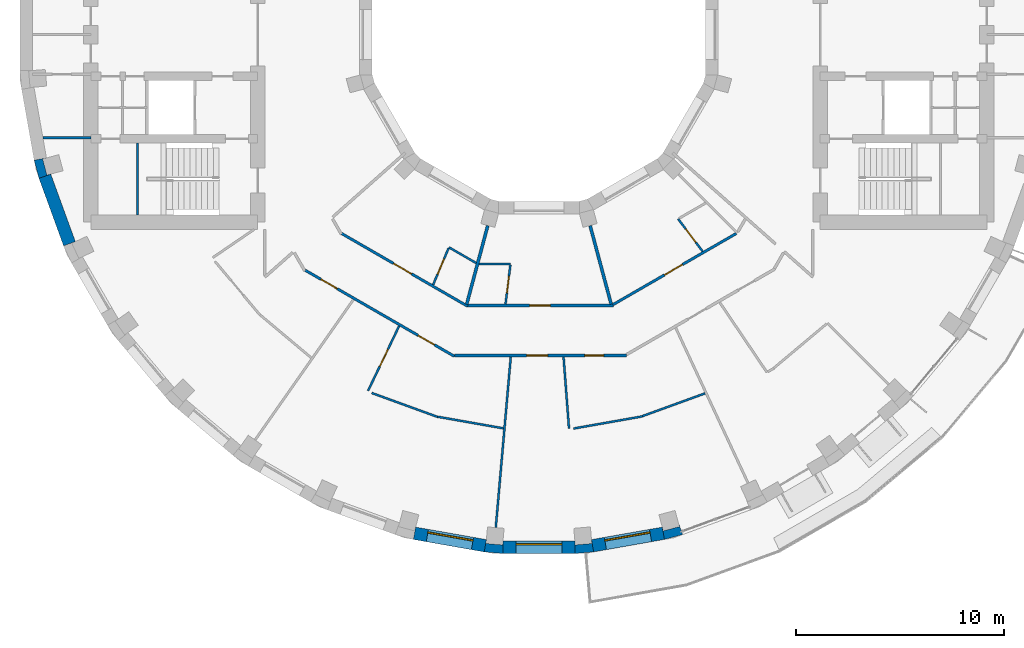
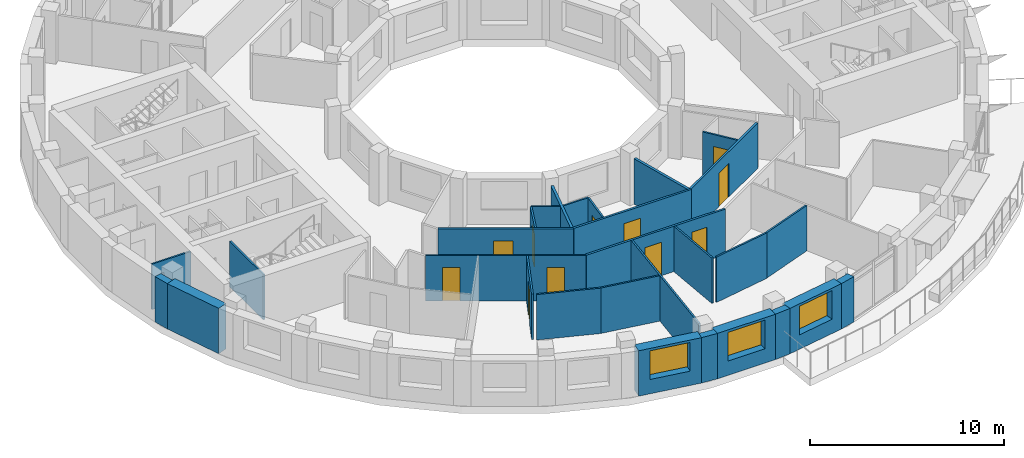
# One storey, part 6 of 15: 29 walls, 11 doors, 3 windows, 14 openings.
"""IFC4 building model written with IfcOpenShell, lengths in metres."""

from ifc_helpers import new_model, si_unit, direction, frame, frame_2d, origin, place, context, subcontext, project, spatial, polyline, rectangle, outline, extrude, material, layer, layer_set, type_object, element, fill, save


model = new_model("IFC4")

# Units and contexts
model_context = context("Model", 3, precision=1e-05, world=origin(), true_north=direction((0.0, 1.0)))
body_context = subcontext(model_context, "Body", "Model", "MODEL_VIEW")
ifc_project = project(units=[si_unit("LENGTHUNIT", "METRE"), si_unit("AREAUNIT", "SQUARE_METRE"), si_unit("VOLUMEUNIT", "CUBIC_METRE"), si_unit("PLANEANGLEUNIT", "RADIAN"), si_unit("MASSUNIT", "GRAM", prefix="KILO")], contexts=[model_context])

# Site, building, storey
site_placement = place(None, origin())
site = spatial("IfcSite", under=ifc_project, at=site_placement, CompositionType="ELEMENT")
building_placement = place(site_placement, origin())
building = spatial("IfcBuilding", under=site, at=building_placement, Name="Saqina Gate Tower", CompositionType="ELEMENT")
storey_placement = place(building_placement, frame((0.0, 0.0, 167.39990234375)))
storey = spatial("IfcBuildingStorey", under=building, at=storey_placement, Name="L47", CompositionType="ELEMENT", Elevation=167.39990234375)

# Walls
ifc_material_1 = material(Name="Brick masonry (buff)", Category="masonry")
wall_type_1 = type_object("IfcWallType", Name="BRICK PIER COPING BUFF", PredefinedType="SOLIDWALL", material=ifc_material_1)
wall_1_placement = place(storey_placement, origin())
element("IfcWall", 1, at=wall_1_placement, inside=storey, type_object=wall_type_1, Name="Pier cap L47 column 20", PredefinedType="SOLIDWALL", context=body_context, shape_type="SweptSolid", body=[
    extrude(outline(polyline([(-24.22705078125, -6.0234375), (-23.992919921875, -6.897216796875), (-23.428955078125, -6.69189453125), (-23.610107421875, -6.740478515625), (-23.81689453125, -5.967529296875), (-23.635986328125, -5.919189453125), (-24.22705078125, -6.0234375)])), origin(), (0.0, 0.0, 1.0), 2.85009765625),
])
wall_2_placement = place(storey_placement, origin())
element("IfcWall", 2, at=wall_2_placement, inside=storey, type_object=wall_type_1, Name="Pier cap L47 column 27", PredefinedType="SOLIDWALL", context=body_context, shape_type="SweptSolid", body=[
    extrude(outline(polyline([(-2.6259765625, -24.825927734375), (-1.724853515625, -24.90478515625), (-1.724853515625, -24.304931640625), (-1.7412109375, -24.491455078125), (-2.5380859375, -24.421630859375), (-2.521728515625, -24.235107421875), (-2.6259765625, -24.825927734375)])), origin(), (0.0, 0.0, 1.0), 2.85009765625),
])
wall_3_placement = place(storey_placement, origin())
element("IfcWall", 3, at=wall_3_placement, inside=storey, type_object=wall_type_1, Name="Pier cap L47 column 28", PredefinedType="SOLIDWALL", context=body_context, shape_type="SweptSolid", body=[
    extrude(outline(polyline([(1.724853515625, -24.90478515625), (2.6259765625, -24.825927734375), (2.521728515625, -24.235107421875), (2.5380859375, -24.421630859375), (1.7412109375, -24.491455078125), (1.724853515625, -24.304931640625), (1.724853515625, -24.90478515625)])), origin(), (0.0, 0.0, 1.0), 2.85009765625),
])
wall_4_placement = place(storey_placement, origin())
element("IfcWall", 4, at=wall_4_placement, inside=storey, type_object=wall_type_1, Name="Pier cap L47 column 29", PredefinedType="SOLIDWALL", context=body_context, shape_type="SweptSolid", body=[
    extrude(outline(polyline([(6.0234375, -24.22705078125), (6.897216796875, -23.992919921875), (6.69189453125, -23.428955078125), (6.740478515625, -23.610107421875), (5.967529296875, -23.81689453125), (5.919189453125, -23.635986328125), (6.0234375, -24.22705078125)])), origin(), (0.0, 0.0, 1.0), 2.85009765625),
])
ifc_material_2 = material(Name="Gypsum board on steel studs", Category="steel")
ifc_layer_1 = layer(ifc_material_2, 0.10009765625)
ifc_layer_set_1 = layer_set([ifc_layer_1], Name="CORE PARTITION")
wall_type_2 = type_object("IfcWallType", Name="CORE PARTITION", PredefinedType="PARTITIONING", material=ifc_layer_set_1)
wall_5_placement = place(storey_placement, frame((-21.5, -4.949951171875, 0.0), z_axis=(0.0, 0.0, 1.0), x_axis=(-1.0, 0.0, 0.0)))
element("IfcWall", 5, at=wall_5_placement, inside=storey, type_object=wall_type_2, Name="L47-CP-W03", PredefinedType="PARTITIONING", context=body_context, shape_type="SweptSolid", body=[
    extrude(rectangle(XDim=2.306884765625, YDim=0.10009765625, at=frame_2d((1.1533203125, 0.0))), origin(), (0.0, 0.0, 1.0), 2.85009765625),
])

# Wall, opening, window
ifc_material_3 = material(Name="Brick masonry (buff)", Category="masonry")
ifc_layer_2 = layer(ifc_material_3, 0.60009765625)
ifc_layer_set_2 = layer_set([ifc_layer_2], Name="FW-BRICK-BUFF")
wall_type_3 = type_object("IfcWallType", Name="FW-BRICK-BUFF", PredefinedType="SOLIDWALL", material=ifc_layer_set_2)
wall_6_placement = place(storey_placement, frame((-5.97119140625, -23.931640625, 0.0), z_axis=(0.0, 0.0, 1.0), x_axis=(0.984814892183, -0.173607684551, 0.0)))
wall_6 = element("IfcWall", 6, at=wall_6_placement, inside=storey, type_object=wall_type_3, Name="Facade wall L47 facet 26", PredefinedType="SOLIDWALL", context=body_context, shape_type="SweptSolid", body=[
    extrude(rectangle(XDim=3.44970703125, YDim=0.60009765625, at=frame_2d((1.724853515625, 0.0))), origin(), (0.0, 0.0, 1.0), 2.85009765625),
])
opening_1_placement = place(wall_6_placement, frame((0.625, 0.0, 0.89990234375)))
opening_1 = element("IfcOpeningElement", 7, at=opening_1_placement, cuts=wall_6, Name="Opening G13-W19", PredefinedType="OPENING", context=body_context, shape_type="SweptSolid", body=[
    extrude(rectangle(XDim=2.199951171875, YDim=1.800048828125, at=frame_2d((1.10009765625, 0.89990234375))), frame((0.0, 0.31201171875, 0.0), z_axis=(0.0, -1.0, 0.0), x_axis=(1.0, 0.0, 0.0)), (0.0, 0.0, 1.0), 0.6240234375),
])
ifc_material_4 = material(Name="Aluminium glazing", Category="aluminium")
window_type = type_object("IfcWindowType", Name="WN-C", PartitioningType="SINGLE_PANEL", PredefinedType="WINDOW", material=ifc_material_4)
window_1_placement = place(opening_1_placement, origin())
window_1 = element("IfcWindow", 8, at=window_1_placement, inside=storey, type_object=window_type, Name="Window L47 facet 26", OverallHeight=1.800048828125, OverallWidth=2.199951171875, PartitioningType="SINGLE_PANEL", PredefinedType="WINDOW", context=body_context, shape_type="SweptSolid", body=[
    extrude(rectangle(XDim=2.199951171875, YDim=1.800048828125, at=frame_2d((1.10009765625, 0.89990234375))), frame((0.0, 0.179931640625, 0.0), z_axis=(0.0, -1.0, 0.0), x_axis=(1.0, 0.0, 0.0)), (0.0, 0.0, 1.0), 0.06005859375),
])
fill(opening_1, window_1)

wall_7_placement = place(storey_placement, frame((-1.724853515625, -24.60498046875, 0.0), z_axis=(0.0, 0.0, 1.0), x_axis=(1.0, 0.0, 0.0)))
wall_7 = element("IfcWall", 9, at=wall_7_placement, inside=storey, type_object=wall_type_3, Name="Facade wall L47 facet 27", PredefinedType="SOLIDWALL", context=body_context, shape_type="SweptSolid", body=[
    extrude(rectangle(XDim=3.44970703125, YDim=0.60009765625, at=frame_2d((1.724853515625, 0.0))), origin(), (0.0, 0.0, 1.0), 2.85009765625),
])
opening_2_placement = place(wall_7_placement, frame((0.625, 0.0, 0.89990234375)))
opening_2 = element("IfcOpeningElement", 10, at=opening_2_placement, cuts=wall_7, Name="Opening G13-W20", PredefinedType="OPENING", context=body_context, shape_type="SweptSolid", body=[
    extrude(rectangle(XDim=2.199951171875, YDim=1.800048828125, at=frame_2d((1.10009765625, 0.89990234375))), frame((0.0, 0.31201171875, 0.0), z_axis=(0.0, -1.0, 0.0), x_axis=(1.0, 0.0, 0.0)), (0.0, 0.0, 1.0), 0.6240234375),
])
window_2_placement = place(opening_2_placement, origin())
window_2 = element("IfcWindow", 11, at=window_2_placement, inside=storey, type_object=window_type, Name="Window L47 facet 27", OverallHeight=1.800048828125, OverallWidth=2.199951171875, PartitioningType="SINGLE_PANEL", PredefinedType="WINDOW", context=body_context, shape_type="SweptSolid", body=[
    extrude(rectangle(XDim=2.199951171875, YDim=1.800048828125, at=frame_2d((1.10009765625, 0.89990234375))), frame((0.0, 0.179931640625, 0.0), z_axis=(0.0, -1.0, 0.0), x_axis=(1.0, 0.0, 0.0)), (0.0, 0.0, 1.0), 0.06005859375),
])
fill(opening_2, window_2)

wall_8_placement = place(storey_placement, frame((2.573974609375, -24.530517578125, 0.0), z_axis=(0.0, 0.0, 1.0), x_axis=(0.984814892183, 0.173607684551, 0.0)))
wall_8 = element("IfcWall", 12, at=wall_8_placement, inside=storey, type_object=wall_type_3, Name="Facade wall L47 facet 28", PredefinedType="SOLIDWALL", context=body_context, shape_type="SweptSolid", body=[
    extrude(rectangle(XDim=3.44970703125, YDim=0.60009765625, at=frame_2d((1.724853515625, 0.0))), origin(), (0.0, 0.0, 1.0), 2.85009765625),
])
opening_3_placement = place(wall_8_placement, frame((0.625, 0.0, 0.89990234375)))
opening_3 = element("IfcOpeningElement", 13, at=opening_3_placement, cuts=wall_8, Name="Opening G13-W21", PredefinedType="OPENING", context=body_context, shape_type="SweptSolid", body=[
    extrude(rectangle(XDim=2.199951171875, YDim=1.800048828125, at=frame_2d((1.10009765625, 0.89990234375))), frame((0.0, 0.31201171875, 0.0), z_axis=(0.0, -1.0, 0.0), x_axis=(1.0, 0.0, 0.0)), (0.0, 0.0, 1.0), 0.6240234375),
])
window_3_placement = place(opening_3_placement, origin())
window_3 = element("IfcWindow", 14, at=window_3_placement, inside=storey, type_object=window_type, Name="Window L47 facet 28", OverallHeight=1.800048828125, OverallWidth=2.199951171875, PartitioningType="SINGLE_PANEL", PredefinedType="WINDOW", context=body_context, shape_type="SweptSolid", body=[
    extrude(rectangle(XDim=2.199951171875, YDim=1.800048828125, at=frame_2d((1.10009765625, 0.89990234375))), frame((0.0, 0.179931640625, 0.0), z_axis=(0.0, -1.0, 0.0), x_axis=(1.0, 0.0, 0.0)), (0.0, 0.0, 1.0), 0.06005859375),
])
fill(opening_3, window_3)

# Walls
ifc_material_5 = material(Name="Glazed ceramic tile", Category="ceramic")
ifc_layer_3 = layer(ifc_material_5, 0.60009765625)
ifc_layer_set_3 = layer_set([ifc_layer_3], Name="FW-TILE")
wall_type_4 = type_object("IfcWallType", Name="FW-TILE", PredefinedType="SOLIDWALL", material=ifc_layer_set_3)
wall_9_placement = place(storey_placement, frame((-23.7109375, -6.79443359375, 0.0), z_axis=(0.0, 0.0, 1.0), x_axis=(0.342032843455, -0.93968799822, 0.0)))
element("IfcWall", 15, at=wall_9_placement, inside=storey, type_object=wall_type_4, Name="Facade wall L47 facet 20", PredefinedType="SOLIDWALL", context=body_context, shape_type="SweptSolid", body=[
    extrude(rectangle(XDim=3.44970703125, YDim=0.60009765625, at=frame_2d((1.724853515625, 0.0))), origin(), (0.0, 0.0, 1.0), 2.85009765625),
])
ifc_material_6 = material(Name="Gypsum board on steel studs, 100 mm", Category="steel")
ifc_layer_4 = layer(ifc_material_6, 0.10009765625)
ifc_layer_set_4 = layer_set([ifc_layer_4], Name="PARTITION 100")
wall_type_5 = type_object("IfcWallType", Name="PARTITION 100", PredefinedType="PARTITIONING", material=ifc_layer_set_4)
wall_10_placement = place(storey_placement, frame((1.1806640625, -15.46240234375, 0.0), z_axis=(0.0, 0.0, 1.0), x_axis=(0.07601515228, -0.997106662611, 0.0)))
element("IfcWall", 16, at=wall_10_placement, inside=storey, type_object=wall_type_5, Name="PARTITION PW3-02", PredefinedType="PARTITIONING", context=body_context, shape_type="SweptSolid", body=[
    extrude(rectangle(XDim=3.45263671875, YDim=0.10009765625, at=frame_2d((1.726318359375, 0.0))), origin(), (0.0, 0.0, 1.0), 2.85009765625),
])

# Wall, opening, door
wall_11_placement = place(storey_placement, frame((6.680908203125, -8.843994140625, 0.0), z_axis=(0.0, 0.0, 1.0), x_axis=(0.602656270697, -0.798000889341, 0.0)))
wall_11 = element("IfcWall", 17, at=wall_11_placement, inside=storey, type_object=wall_type_5, Name="PARTITION PW3-14", PredefinedType="PARTITIONING", context=body_context, shape_type="SweptSolid", body=[
    extrude(rectangle(XDim=1.953369140625, YDim=0.10009765625, at=frame_2d((0.9765625, 0.0))), origin(), (0.0, 0.0, 1.0), 2.85009765625),
])
opening_4_placement = place(wall_11_placement, frame((0.608154296875, 0.0, 0.0)))
opening_4 = element("IfcOpeningElement", 18, at=opening_4_placement, cuts=wall_11, Name="Opening G13-D39", PredefinedType="OPENING", context=body_context, shape_type="SweptSolid", body=[
    extrude(rectangle(XDim=0.800048828125, YDim=2.10009765625, at=frame_2d((0.39990234375, 1.050048828125))), frame((0.0, 0.06201171875, 0.0), z_axis=(0.0, -1.0, 0.0), x_axis=(1.0, 0.0, 0.0)), (0.0, 0.0, 1.0), 0.1240234375),
])
ifc_material_7 = material(Name="Timber door leaf, 800 mm", Category="wood")
door_type_1 = type_object("IfcDoorType", Name="DOOR 800 TIMBER", OperationType="SINGLE_SWING_LEFT", PredefinedType="DOOR", material=ifc_material_7)
door_1_placement = place(opening_4_placement, frame((0.800048828125, 0.0, 0.0), z_axis=(0.0, 0.0, 1.0), x_axis=(-1.0, 0.0, 0.0)))
door_1 = element("IfcDoor", 19, at=door_1_placement, inside=storey, type_object=door_type_1, Name="DOOR G13-D39", OperationType="SINGLE_SWING_LEFT", OverallHeight=2.10009765625, OverallWidth=0.800048828125, PredefinedType="DOOR", context=body_context, shape_type="SweptSolid", body=[
    extrude(rectangle(XDim=0.800048828125, YDim=2.10009765625, at=frame_2d((0.39990234375, 1.050048828125))), frame((0.0, 0.02490234375, 0.0), z_axis=(0.0, -1.0, 0.0), x_axis=(1.0, 0.0, 0.0)), (0.0, 0.0, 1.0), 0.050048828125),
])
fill(opening_4, door_1)

# Walls
wall_12_placement = place(storey_placement, frame((-4.319091796875, -10.2080078125, 0.0), z_axis=(0.0, 0.0, 1.0), x_axis=(0.866104780601, -0.499862490111, 0.0)))
element("IfcWall", 20, at=wall_12_placement, inside=storey, type_object=wall_type_5, Name="PARTITION PW3-23", PredefinedType="PARTITIONING", context=body_context, shape_type="SweptSolid", body=[
    extrude(rectangle(XDim=1.50927734375, YDim=0.10009765625, at=frame_2d((0.754638671875, 0.0))), origin(), (0.0, 0.0, 1.0), 2.85009765625),
])
wall_13_placement = place(storey_placement, frame((-8.02001953125, -17.198974609375, 0.0), z_axis=(0.0, 0.0, 1.0), x_axis=(0.939708490433, -0.341976538681, 0.0)))
element("IfcWall", 21, at=wall_13_placement, inside=storey, type_object=wall_type_5, Name="PARTITION PW3-27", PredefinedType="PARTITIONING", context=body_context, shape_type="SweptSolid", body=[
    extrude(rectangle(XDim=3.358154296875, YDim=0.10009765625, at=frame_2d((1.67919921875, 0.0))), origin(), (0.0, 0.0, 1.0), 2.85009765625),
])
wall_14_placement = place(storey_placement, frame((-4.86279296875, -18.338623046875, 0.0), z_axis=(0.0, 0.0, 1.0), x_axis=(0.984782026727, -0.173794015534, 0.0)))
element("IfcWall", 22, at=wall_14_placement, inside=storey, type_object=wall_type_5, Name="PARTITION PW3-30", PredefinedType="PARTITIONING", context=body_context, shape_type="SweptSolid", body=[
    extrude(rectangle(XDim=3.20849609375, YDim=0.10009765625, at=frame_2d((1.604248046875, 0.0))), origin(), (0.0, 0.0, 1.0), 2.85009765625),
])
wall_15_placement = place(storey_placement, frame((-2.8720703125, -11.0, 0.0), z_axis=(0.0, 0.0, 1.0), x_axis=(1.0, 0.0, 0.0)))
element("IfcWall", 23, at=wall_15_placement, inside=storey, type_object=wall_type_5, Name="PARTITION PW3-33", PredefinedType="PARTITIONING", context=body_context, shape_type="SweptSolid", body=[
    extrude(rectangle(XDim=1.508056640625, YDim=0.10009765625, at=frame_2d((0.75390625, 0.0))), origin(), (0.0, 0.0, 1.0), 2.85009765625),
])
wall_16_placement = place(storey_placement, frame((1.654052734375, -18.905029296875, 0.0), z_axis=(0.0, 0.0, 1.0), x_axis=(0.984783558818, 0.173785333909, 0.0)))
element("IfcWall", 24, at=wall_16_placement, inside=storey, type_object=wall_type_5, Name="PARTITION PW3-38", PredefinedType="PARTITIONING", context=body_context, shape_type="SweptSolid", body=[
    extrude(rectangle(XDim=3.35888671875, YDim=0.10009765625, at=frame_2d((1.679443359375, 0.0))), origin(), (0.0, 0.0, 1.0), 2.85009765625),
])
wall_17_placement = place(storey_placement, frame((4.958984375, -18.31298828125, 0.0), z_axis=(0.0, 0.0, 1.0), x_axis=(0.939697820391, 0.34200585719, 0.0)))
element("IfcWall", 25, at=wall_17_placement, inside=storey, type_object=wall_type_5, Name="PARTITION PW3-41", PredefinedType="PARTITIONING", context=body_context, shape_type="SweptSolid", body=[
    extrude(rectangle(XDim=3.207275390625, YDim=0.10009765625, at=frame_2d((1.603515625, 0.0))), origin(), (0.0, 0.0, 1.0), 2.85009765625),
])

# Wall, opening, door
wall_18_placement = place(storey_placement, frame((-8.201904296875, -17.093994140625, 0.0), z_axis=(0.0, 0.0, 1.0), x_axis=(0.432471241397, 0.901647727976, 0.0)))
wall_18 = element("IfcWall", 26, at=wall_18_placement, inside=storey, type_object=wall_type_5, Name="PARTITION PW3-56", PredefinedType="PARTITIONING", context=body_context, shape_type="SweptSolid", body=[
    extrude(rectangle(XDim=3.4521484375, YDim=0.10009765625, at=frame_2d((1.72607421875, 0.0))), origin(), (0.0, 0.0, 1.0), 2.85009765625),
])
opening_5_placement = place(wall_18_placement, frame((1.307373046875, 0.0, 0.0)))
opening_5 = element("IfcOpeningElement", 27, at=opening_5_placement, cuts=wall_18, Name="Opening G13-D30", PredefinedType="OPENING", context=body_context, shape_type="SweptSolid", body=[
    extrude(rectangle(XDim=0.89990234375, YDim=2.10009765625, at=frame_2d((0.449951171875, 1.050048828125))), frame((0.0, 0.06201171875, 0.0), z_axis=(0.0, -1.0, 0.0), x_axis=(1.0, 0.0, 0.0)), (0.0, 0.0, 1.0), 0.1240234375),
])
ifc_material_8 = material(Name="Timber door leaf, 900 mm", Category="wood")
door_type_2 = type_object("IfcDoorType", Name="DOOR 900 TIMBER", OperationType="SINGLE_SWING_LEFT", PredefinedType="DOOR", material=ifc_material_8)
door_2_placement = place(opening_5_placement, origin())
door_2 = element("IfcDoor", 28, at=door_2_placement, inside=storey, type_object=door_type_2, Name="DOOR G13-D30", OperationType="SINGLE_SWING_RIGHT", OverallHeight=2.10009765625, OverallWidth=0.89990234375, PredefinedType="DOOR", context=body_context, shape_type="SweptSolid", body=[
    extrude(rectangle(XDim=0.89990234375, YDim=2.10009765625, at=frame_2d((0.449951171875, 1.050048828125))), frame((0.0, 0.02490234375, 0.0), z_axis=(0.0, -1.0, 0.0), x_axis=(1.0, 0.0, 0.0)), (0.0, 0.0, 1.0), 0.050048828125),
])
fill(opening_5, door_2)

wall_19_placement = place(storey_placement, frame((-5.07958984375, -12.00634765625, 0.0), z_axis=(0.0, 0.0, 1.0), x_axis=(0.389593941569, 0.920986732094, 0.0)))
wall_19 = element("IfcWall", 29, at=wall_19_placement, inside=storey, type_object=wall_type_5, Name="PARTITION PW3-58", PredefinedType="PARTITIONING", context=body_context, shape_type="SweptSolid", body=[
    extrude(rectangle(XDim=1.902587890625, YDim=0.10009765625, at=frame_2d((0.951171875, 0.0))), origin(), (0.0, 0.0, 1.0), 2.85009765625),
])
opening_6_placement = place(wall_19_placement, frame((0.545166015625, 0.0, 0.0)))
opening_6 = element("IfcOpeningElement", 30, at=opening_6_placement, cuts=wall_19, Name="Opening G13-D31", PredefinedType="OPENING", context=body_context, shape_type="SweptSolid", body=[
    extrude(rectangle(XDim=0.800048828125, YDim=2.10009765625, at=frame_2d((0.39990234375, 1.050048828125))), frame((0.0, 0.06201171875, 0.0), z_axis=(0.0, -1.0, 0.0), x_axis=(1.0, 0.0, 0.0)), (0.0, 0.0, 1.0), 0.1240234375),
])
door_3_placement = place(opening_6_placement, origin())
door_3 = element("IfcDoor", 31, at=door_3_placement, inside=storey, type_object=door_type_1, Name="DOOR G13-D31", OperationType="SINGLE_SWING_LEFT", OverallHeight=2.10009765625, OverallWidth=0.800048828125, PredefinedType="DOOR", context=body_context, shape_type="SweptSolid", body=[
    extrude(rectangle(XDim=0.800048828125, YDim=2.10009765625, at=frame_2d((0.39990234375, 1.050048828125))), frame((0.0, 0.02490234375, 0.0), z_axis=(0.0, -1.0, 0.0), x_axis=(1.0, 0.0, 0.0)), (0.0, 0.0, 1.0), 0.050048828125),
])
fill(opening_6, door_3)

wall_20_placement = place(storey_placement, frame((-1.604248046875, -12.93798828125, 0.0), z_axis=(0.0, 0.0, 1.0), x_axis=(0.123039852559, 0.992401730491, 0.0)))
wall_20 = element("IfcWall", 32, at=wall_20_placement, inside=storey, type_object=wall_type_5, Name="PARTITION PW3-62", PredefinedType="PARTITIONING", context=body_context, shape_type="SweptSolid", body=[
    extrude(rectangle(XDim=1.90283203125, YDim=0.10009765625, at=frame_2d((0.951416015625, 0.0))), origin(), (0.0, 0.0, 1.0), 2.85009765625),
])
opening_7_placement = place(wall_20_placement, frame((0.545166015625, 0.0, 0.0)))
opening_7 = element("IfcOpeningElement", 33, at=opening_7_placement, cuts=wall_20, Name="Opening G13-D33", PredefinedType="OPENING", context=body_context, shape_type="SweptSolid", body=[
    extrude(rectangle(XDim=0.800048828125, YDim=2.10009765625, at=frame_2d((0.39990234375, 1.050048828125))), frame((0.0, 0.06201171875, 0.0), z_axis=(0.0, -1.0, 0.0), x_axis=(1.0, 0.0, 0.0)), (0.0, 0.0, 1.0), 0.1240234375),
])
door_4_placement = place(opening_7_placement, frame((0.800048828125, 0.0, 0.0), z_axis=(0.0, 0.0, 1.0), x_axis=(-1.0, 0.0, 0.0)))
door_4 = element("IfcDoor", 34, at=door_4_placement, inside=storey, type_object=door_type_1, Name="DOOR G13-D33", OperationType="SINGLE_SWING_RIGHT", OverallHeight=2.10009765625, OverallWidth=0.800048828125, PredefinedType="DOOR", context=body_context, shape_type="SweptSolid", body=[
    extrude(rectangle(XDim=0.800048828125, YDim=2.10009765625, at=frame_2d((0.39990234375, 1.050048828125))), frame((0.0, 0.02490234375, 0.0), z_axis=(0.0, -1.0, 0.0), x_axis=(1.0, 0.0, 0.0)), (0.0, 0.0, 1.0), 0.050048828125),
])
fill(opening_7, door_4)

# Wall
wall_21_placement = place(storey_placement, frame((-2.071044921875, -23.6494140625, 0.0), z_axis=(0.0, 0.0, 1.0), x_axis=(0.087543554658, 0.996160692879, 0.0)))
element("IfcWall", 35, at=wall_21_placement, inside=storey, type_object=wall_type_5, Name="PARTITION PW3-63", PredefinedType="PARTITIONING", context=body_context, shape_type="SweptSolid", body=[
    extrude(rectangle(XDim=8.218505859375, YDim=0.10009765625, at=frame_2d((4.109375, 0.0))), origin(), (0.0, 0.0, 1.0), 2.85009765625),
])

# Wall, openings, doors
ifc_material_9 = material(Name="Gypsum board on steel studs, 125 mm, fire rated", Category="steel")
ifc_layer_5 = layer(ifc_material_9, 0.125)
ifc_layer_set_5 = layer_set([ifc_layer_5], Name="PARTITION EI 30 125")
wall_type_6 = type_object("IfcWallType", Name="PARTITION EI 30 125", PredefinedType="PARTITIONING", material=ifc_layer_set_5)
wall_22_placement = place(storey_placement, frame((-11.219970703125, -11.30517578125, 0.0), z_axis=(0.0, 0.0, 1.0), x_axis=(0.866074891173, -0.499914275531, 0.0)))
wall_22 = element("IfcWall", 36, at=wall_22_placement, inside=storey, type_object=wall_type_6, Name="PARTITION PW1-10", PredefinedType="PARTITIONING", context=body_context, shape_type="SweptSolid", body=[
    extrude(rectangle(XDim=8.26318359375, YDim=0.125, at=frame_2d((4.131591796875, 0.0))), origin(), (0.0, 0.0, 1.0), 2.85009765625),
])
opening_8_placement = place(wall_22_placement, frame((0.876953125, 0.0, 0.0)))
opening_8 = element("IfcOpeningElement", 37, at=opening_8_placement, cuts=wall_22, Name="Opening G13-D28", PredefinedType="OPENING", context=body_context, shape_type="SweptSolid", body=[
    extrude(rectangle(XDim=0.89990234375, YDim=2.10009765625, at=frame_2d((0.449951171875, 1.050048828125))), frame((0.0, 0.074462890625, 0.0), z_axis=(0.0, -1.0, 0.0), x_axis=(1.0, 0.0, 0.0)), (0.0, 0.0, 1.0), 0.14892578125),
])
opening_9_placement = place(wall_22_placement, frame((6.265380859375, 0.0, 0.0)))
opening_9 = element("IfcOpeningElement", 38, at=opening_9_placement, cuts=wall_22, Name="Opening G13-D32", PredefinedType="OPENING", context=body_context, shape_type="SweptSolid", body=[
    extrude(rectangle(XDim=0.89990234375, YDim=2.10009765625, at=frame_2d((0.449951171875, 1.050048828125))), frame((0.0, 0.074462890625, 0.0), z_axis=(0.0, -1.0, 0.0), x_axis=(1.0, 0.0, 0.0)), (0.0, 0.0, 1.0), 0.14892578125),
])
ifc_material_10 = material(Name="Fire door leaf EI 30, 900 mm")
door_type_3 = type_object("IfcDoorType", Name="DOOR 900 EI 30", OperationType="SINGLE_SWING_LEFT", PredefinedType="DOOR", material=ifc_material_10)
door_5_placement = place(opening_8_placement, frame((0.89990234375, 0.0, 0.0), z_axis=(0.0, 0.0, 1.0), x_axis=(-1.0, 0.0, 0.0)))
door_5 = element("IfcDoor", 39, at=door_5_placement, inside=storey, type_object=door_type_3, Name="DOOR G13-D28", OperationType="SINGLE_SWING_RIGHT", OverallHeight=2.10009765625, OverallWidth=0.89990234375, PredefinedType="DOOR", context=body_context, shape_type="SweptSolid", body=[
    extrude(rectangle(XDim=0.89990234375, YDim=2.10009765625, at=frame_2d((0.449951171875, 1.050048828125))), frame((0.0, 0.02490234375, 0.0), z_axis=(0.0, -1.0, 0.0), x_axis=(1.0, 0.0, 0.0)), (0.0, 0.0, 1.0), 0.050048828125),
])
fill(opening_8, door_5)
door_6_placement = place(opening_9_placement, frame((0.89990234375, 0.0, 0.0), z_axis=(0.0, 0.0, 1.0), x_axis=(-1.0, 0.0, 0.0)))
door_6 = element("IfcDoor", 40, at=door_6_placement, inside=storey, type_object=door_type_3, Name="DOOR G13-D32", OperationType="SINGLE_SWING_LEFT", OverallHeight=2.10009765625, OverallWidth=0.89990234375, PredefinedType="DOOR", context=body_context, shape_type="SweptSolid", body=[
    extrude(rectangle(XDim=0.89990234375, YDim=2.10009765625, at=frame_2d((0.449951171875, 1.050048828125))), frame((0.0, 0.02490234375, 0.0), z_axis=(0.0, -1.0, 0.0), x_axis=(1.0, 0.0, 0.0)), (0.0, 0.0, 1.0), 0.050048828125),
])
fill(opening_9, door_6)

# Wall, opening, door
wall_23_placement = place(storey_placement, frame((-9.462890625, -9.54833984375, 0.0), z_axis=(0.0, 0.0, 1.0), x_axis=(0.866077207726, -0.499910262205, 0.0)))
wall_23 = element("IfcWall", 41, at=wall_23_placement, inside=storey, type_object=wall_type_6, Name="PARTITION PW1-11", PredefinedType="PARTITIONING", context=body_context, shape_type="SweptSolid", body=[
    extrude(rectangle(XDim=6.976806640625, YDim=0.125, at=frame_2d((3.48828125, 0.0))), origin(), (0.0, 0.0, 1.0), 2.85009765625),
])
opening_10_placement = place(wall_23_placement, frame((2.8701171875, 0.0, 0.0)))
opening_10 = element("IfcOpeningElement", 42, at=opening_10_placement, cuts=wall_23, Name="Opening G13-D29", PredefinedType="OPENING", context=body_context, shape_type="SweptSolid", body=[
    extrude(rectangle(XDim=1.0, YDim=2.10009765625, at=frame_2d((0.5, 1.050048828125))), frame((0.0, 0.074462890625, 0.0), z_axis=(0.0, -1.0, 0.0), x_axis=(1.0, 0.0, 0.0)), (0.0, 0.0, 1.0), 0.14892578125),
])
ifc_material_11 = material(Name="Fire door leaf EI 30, 1000 mm")
door_type_4 = type_object("IfcDoorType", Name="DOOR 1000 EI 30", OperationType="SINGLE_SWING_LEFT", PredefinedType="DOOR", material=ifc_material_11)
door_7_placement = place(opening_10_placement, origin())
door_7 = element("IfcDoor", 43, at=door_7_placement, inside=storey, type_object=door_type_4, Name="DOOR G13-D29", OperationType="SINGLE_SWING_LEFT", OverallHeight=2.10009765625, OverallWidth=1.0, PredefinedType="DOOR", context=body_context, shape_type="SweptSolid", body=[
    extrude(rectangle(XDim=1.0, YDim=2.10009765625, at=frame_2d((0.5, 1.050048828125))), frame((0.0, 0.02490234375, 0.0), z_axis=(0.0, -1.0, 0.0), x_axis=(1.0, 0.0, 0.0)), (0.0, 0.0, 1.0), 0.050048828125),
])
fill(opening_10, door_7)

# Wall, openings, doors
wall_24_placement = place(storey_placement, frame((-4.0634765625, -15.39990234375, 0.0), z_axis=(0.0, 0.0, 1.0), x_axis=(1.0, 0.0, 0.0)))
wall_24 = element("IfcWall", 44, at=wall_24_placement, inside=storey, type_object=wall_type_6, Name="PARTITION PW1-17", PredefinedType="PARTITIONING", context=body_context, shape_type="SweptSolid", body=[
    extrude(rectangle(XDim=8.26171875, YDim=0.125, at=frame_2d((4.130859375, 0.0))), origin(), (0.0, 0.0, 1.0), 2.85009765625),
])
opening_11_placement = place(wall_24_placement, frame((3.47802734375, 0.0, 0.0)))
opening_11 = element("IfcOpeningElement", 45, at=opening_11_placement, cuts=wall_24, Name="Opening G13-D34", PredefinedType="OPENING", context=body_context, shape_type="SweptSolid", body=[
    extrude(rectangle(XDim=1.0, YDim=2.10009765625, at=frame_2d((0.5, 1.050048828125))), frame((0.0, 0.074462890625, 0.0), z_axis=(0.0, -1.0, 0.0), x_axis=(1.0, 0.0, 0.0)), (0.0, 0.0, 1.0), 0.14892578125),
])
opening_12_placement = place(wall_24_placement, frame((6.264404296875, 0.0, 0.0)))
opening_12 = element("IfcOpeningElement", 46, at=opening_12_placement, cuts=wall_24, Name="Opening G13-D36", PredefinedType="OPENING", context=body_context, shape_type="SweptSolid", body=[
    extrude(rectangle(XDim=0.89990234375, YDim=2.10009765625, at=frame_2d((0.449951171875, 1.050048828125))), frame((0.0, 0.074462890625, 0.0), z_axis=(0.0, -1.0, 0.0), x_axis=(1.0, 0.0, 0.0)), (0.0, 0.0, 1.0), 0.14892578125),
])
door_8_placement = place(opening_11_placement, origin())
door_8 = element("IfcDoor", 47, at=door_8_placement, inside=storey, type_object=door_type_4, Name="DOOR G13-D34", OperationType="SINGLE_SWING_LEFT", OverallHeight=2.10009765625, OverallWidth=1.0, PredefinedType="DOOR", context=body_context, shape_type="SweptSolid", body=[
    extrude(rectangle(XDim=1.0, YDim=2.10009765625, at=frame_2d((0.5, 1.050048828125))), frame((0.0, 0.02490234375, 0.0), z_axis=(0.0, -1.0, 0.0), x_axis=(1.0, 0.0, 0.0)), (0.0, 0.0, 1.0), 0.050048828125),
])
fill(opening_11, door_8)
door_9_placement = place(opening_12_placement, frame((0.89990234375, 0.0, 0.0), z_axis=(0.0, 0.0, 1.0), x_axis=(-1.0, 0.0, 0.0)))
door_9 = element("IfcDoor", 48, at=door_9_placement, inside=storey, type_object=door_type_3, Name="DOOR G13-D36", OperationType="SINGLE_SWING_LEFT", OverallHeight=2.10009765625, OverallWidth=0.89990234375, PredefinedType="DOOR", context=body_context, shape_type="SweptSolid", body=[
    extrude(rectangle(XDim=0.89990234375, YDim=2.10009765625, at=frame_2d((0.449951171875, 1.050048828125))), frame((0.0, 0.02490234375, 0.0), z_axis=(0.0, -1.0, 0.0), x_axis=(1.0, 0.0, 0.0)), (0.0, 0.0, 1.0), 0.050048828125),
])
fill(opening_12, door_9)

# Wall, opening, door
wall_25_placement = place(storey_placement, frame((-3.42041015625, -13.0, 0.0), z_axis=(0.0, 0.0, 1.0), x_axis=(1.0, 0.0, 0.0)))
wall_25 = element("IfcWall", 49, at=wall_25_placement, inside=storey, type_object=wall_type_6, Name="PARTITION PW1-18", PredefinedType="PARTITIONING", context=body_context, shape_type="SweptSolid", body=[
    extrude(rectangle(XDim=6.989990234375, YDim=0.125, at=frame_2d((3.4951171875, 0.0))), origin(), (0.0, 0.0, 1.0), 2.85009765625),
])
opening_13_placement = place(wall_25_placement, frame((2.970947265625, 0.0, 0.0)))
opening_13 = element("IfcOpeningElement", 50, at=opening_13_placement, cuts=wall_25, Name="Opening G13-D35", PredefinedType="OPENING", context=body_context, shape_type="SweptSolid", body=[
    extrude(rectangle(XDim=1.0, YDim=2.10009765625, at=frame_2d((0.5, 1.050048828125))), frame((0.0, 0.074462890625, 0.0), z_axis=(0.0, -1.0, 0.0), x_axis=(1.0, 0.0, 0.0)), (0.0, 0.0, 1.0), 0.14892578125),
])
door_10_placement = place(opening_13_placement, origin())
door_10 = element("IfcDoor", 51, at=door_10_placement, inside=storey, type_object=door_type_4, Name="DOOR G13-D35", OperationType="SINGLE_SWING_LEFT", OverallHeight=2.10009765625, OverallWidth=1.0, PredefinedType="DOOR", context=body_context, shape_type="SweptSolid", body=[
    extrude(rectangle(XDim=1.0, YDim=2.10009765625, at=frame_2d((0.5, 1.050048828125))), frame((0.0, 0.02490234375, 0.0), z_axis=(0.0, -1.0, 0.0), x_axis=(1.0, 0.0, 0.0)), (0.0, 0.0, 1.0), 0.050048828125),
])
fill(opening_13, door_10)

wall_26_placement = place(storey_placement, frame((3.5478515625, -12.96240234375, 0.0), z_axis=(0.0, 0.0, 1.0), x_axis=(0.866078638394, 0.499907783615, 0.0)))
wall_26 = element("IfcWall", 52, at=wall_26_placement, inside=storey, type_object=wall_type_6, Name="PARTITION PW1-25", PredefinedType="PARTITIONING", context=body_context, shape_type="SweptSolid", body=[
    extrude(rectangle(XDim=6.842041015625, YDim=0.125, at=frame_2d((3.4208984375, 0.0))), origin(), (0.0, 0.0, 1.0), 2.85009765625),
])
opening_14_placement = place(wall_26_placement, frame((2.857666015625, 0.0, 0.0)))
opening_14 = element("IfcOpeningElement", 53, at=opening_14_placement, cuts=wall_26, Name="Opening G13-D38", PredefinedType="OPENING", context=body_context, shape_type="SweptSolid", body=[
    extrude(rectangle(XDim=1.0, YDim=2.10009765625, at=frame_2d((0.5, 1.050048828125))), frame((0.0, 0.074462890625, 0.0), z_axis=(0.0, -1.0, 0.0), x_axis=(1.0, 0.0, 0.0)), (0.0, 0.0, 1.0), 0.14892578125),
])
door_11_placement = place(opening_14_placement, origin())
door_11 = element("IfcDoor", 54, at=door_11_placement, inside=storey, type_object=door_type_4, Name="DOOR G13-D38", OperationType="SINGLE_SWING_LEFT", OverallHeight=2.10009765625, OverallWidth=1.0, PredefinedType="DOOR", context=body_context, shape_type="SweptSolid", body=[
    extrude(rectangle(XDim=1.0, YDim=2.10009765625, at=frame_2d((0.5, 1.050048828125))), frame((0.0, 0.02490234375, 0.0), z_axis=(0.0, -1.0, 0.0), x_axis=(1.0, 0.0, 0.0)), (0.0, 0.0, 1.0), 0.050048828125),
])
fill(opening_14, door_11)

# Walls
ifc_material_12 = material(Name="Gypsum board on steel studs, 150 mm, fire rated", Category="steel")
ifc_layer_6 = layer(ifc_material_12, 0.14990234375)
ifc_layer_set_6 = layer_set([ifc_layer_6], Name="PARTITION EI 60 150")
wall_type_7 = type_object("IfcWallType", Name="PARTITION EI 60 150", PredefinedType="PARTITIONING", material=ifc_layer_set_6)
wall_27_placement = place(storey_placement, frame((2.45703125, -9.168701171875, 0.0), z_axis=(0.0, 0.0, 1.0), x_axis=(0.258849662474, -0.965917621869, 0.0)))
element("IfcWall", 55, at=wall_27_placement, inside=storey, type_object=wall_type_7, Name="PARTITION PW2-02", PredefinedType="PARTITIONING", context=body_context, shape_type="SweptSolid", body=[
    extrude(rectangle(XDim=3.90380859375, YDim=0.14990234375, at=frame_2d((1.951904296875, 0.0))), origin(), (0.0, 0.0, 1.0), 2.85009765625),
])
wall_28_placement = place(storey_placement, frame((-3.466552734375, -12.939697265625, 0.0), z_axis=(0.0, 0.0, 1.0), x_axis=(0.258732959093, 0.965948888854, 0.0)))
element("IfcWall", 56, at=wall_28_placement, inside=storey, type_object=wall_type_7, Name="PARTITION PW2-04", PredefinedType="PARTITIONING", context=body_context, shape_type="SweptSolid", body=[
    extrude(rectangle(XDim=3.903564453125, YDim=0.14990234375, at=frame_2d((1.95166015625, 0.0))), origin(), (0.0, 0.0, 1.0), 2.85009765625),
])
ifc_material_13 = material(Name="Autoclaved aerated concrete block", Category="concrete")
ifc_layer_7 = layer(ifc_material_13, 0.10009765625)
ifc_layer_set_7 = layer_set([ifc_layer_7], Name="STAIR ENCLOSURE WALL")
wall_type_8 = type_object("IfcWallType", Name="STAIR ENCLOSURE WALL", PredefinedType="PARTITIONING", material=ifc_layer_set_7)
wall_29_placement = place(storey_placement, frame((-19.27001953125, -8.64990234375, 0.0), z_axis=(0.0, 0.0, 1.0), x_axis=(0.0, 1.0, 0.0)))
element("IfcWall", 57, at=wall_29_placement, inside=storey, type_object=wall_type_8, Name="L47-CP-W15", PredefinedType="PARTITIONING", context=body_context, shape_type="SweptSolid", body=[
    extrude(rectangle(XDim=3.449951171875, YDim=0.10009765625, at=frame_2d((1.72509765625, 0.0))), origin(), (0.0, 0.0, 1.0), 2.85009765625),
])

save(model, "model.ifc")
